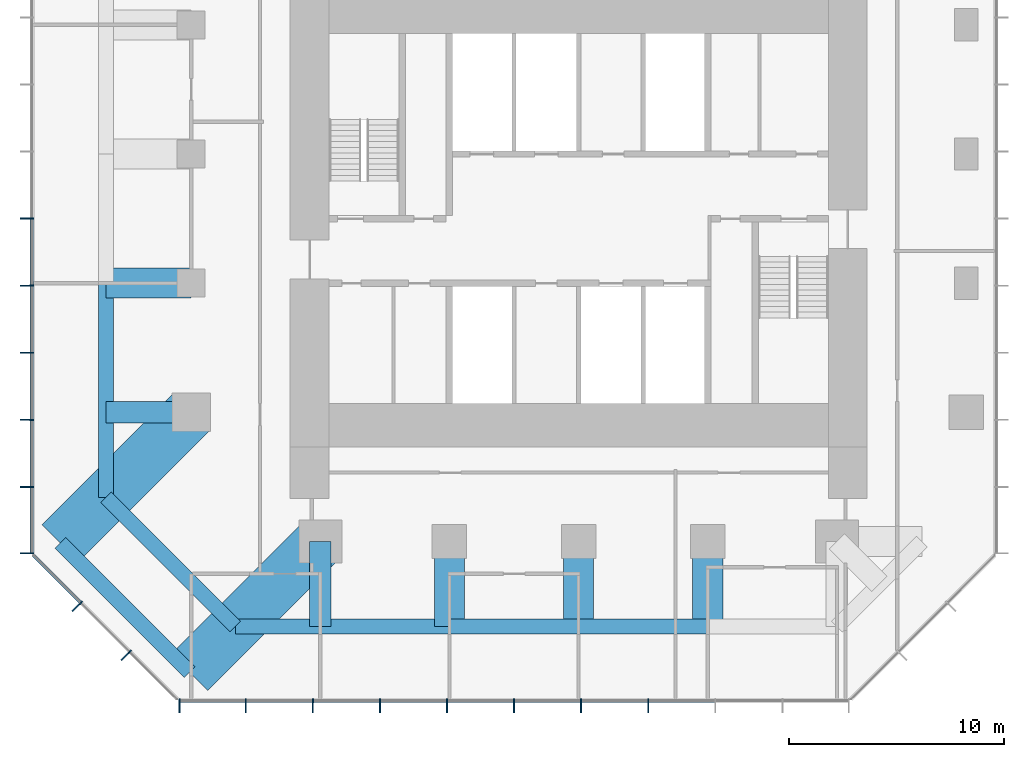
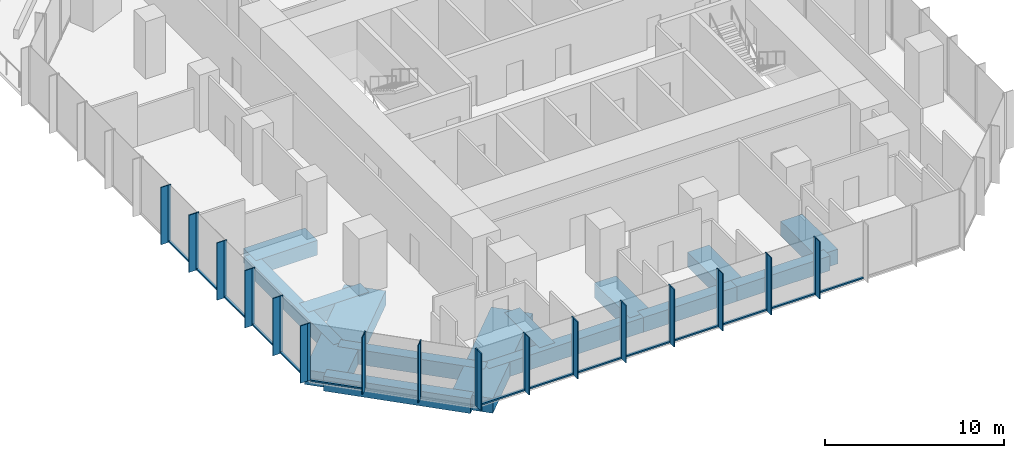
# One storey, part 2 of 11: 46 members, 14 beams, 3 elements without a shape of their own.
"""IFC4 building model written with IfcOpenShell, lengths in metres."""

from ifc_helpers import new_model, si_unit, direction, frame, origin, origin_2d, place, context, subcontext, project, spatial, rectangle, extrude, material, layer, layer_set, material_profile, profile_set, type_object, element, aggregate, save


model = new_model("IFC4")

# Units and contexts
model_context = context("Model", 3, precision=1e-05, world=origin(), true_north=direction((0.0, 1.0)))
body_context = subcontext(model_context, "Body", "Model", "MODEL_VIEW")
ifc_project = project(units=[si_unit("LENGTHUNIT", "METRE"), si_unit("AREAUNIT", "SQUARE_METRE"), si_unit("VOLUMEUNIT", "CUBIC_METRE"), si_unit("PLANEANGLEUNIT", "RADIAN"), si_unit("MASSUNIT", "GRAM", prefix="KILO")], contexts=[model_context])

# Site, building, storey
site_placement = place(None, origin())
site = spatial("IfcSite", under=ifc_project, at=site_placement, CompositionType="ELEMENT")
building_placement = place(site_placement, origin())
building = spatial("IfcBuilding", under=site, at=building_placement, Name="Highveld Stack Headquarters", CompositionType="ELEMENT")
storey_placement = place(building_placement, frame((0.0, 0.0, 212.300048828125)))
storey = spatial("IfcBuildingStorey", under=building, at=storey_placement, Name="L52", CompositionType="ELEMENT", Elevation=212.300048828125)

# Beams
ifc_material_1 = material(Name="Concrete C60/75", Category="concrete")
ifc_material_profile_1 = material_profile(ifc_material_1, rectangle(XDim=1.0, YDim=1.0, at=origin_2d()), Name="RC 1000x1000")
ifc_profile_set_1 = profile_set([ifc_material_profile_1], Name="Concrete C60/75")
beam_type_1 = type_object("IfcBeamType", Name="CANTILEVER RIB RC 1000x1000", PredefinedType="USERDEFINED", material=ifc_profile_set_1)
for number, where, z_axis, x_axis, name in (
    (1, (-12.0, -6.0, -0.75), (-1.0, 0.0, 0.0), (0.0, -1.0, 0.0), "Cantilever rib 4/D L52"),
    (2, (-6.0, -12.0, -0.75), (0.0, -1.0, 0.0), (1.0, 0.0, 0.0), "Cantilever rib 5/C L52"),
):
    element("IfcBeam", number, at=place(storey_placement, frame(where, z_axis=z_axis, x_axis=x_axis)), inside=storey, type_object=beam_type_1, Name=name, ObjectType="CANTILEVER RIB", PredefinedType="USERDEFINED", context=body_context, shape_type="SweptSolid", body=[
        extrude(rectangle(XDim=1.0, YDim=1.0, at=origin_2d()), origin(), (0.0, 0.0, 1.0), 3.949951171875),
    ])
ifc_material_2 = material(Name="Concrete C60/75", Category="concrete")
ifc_material_profile_2 = material_profile(ifc_material_2, rectangle(XDim=1.39990234375, YDim=1.0, at=origin_2d()), Name="RC 1400x1000")
ifc_profile_set_2 = profile_set([ifc_material_profile_2], Name="Concrete C60/75")
beam_type_2 = type_object("IfcBeamType", Name="CANTILEVER RIB RC 1400x1000", PredefinedType="USERDEFINED", material=ifc_profile_set_2)
for number, where, z_axis, x_axis, name in (
    (3, (-12.0, 0.0, -0.75), (-1.0, 0.0, 0.0), (0.0, -1.0, 0.0), "Cantilever rib 4/E L52"),
    (4, (0.0, -12.0, -0.75), (0.0, -1.0, 0.0), (1.0, 0.0, 0.0), "Cantilever rib 6/C L52"),
    (5, (6.0, -12.0, -0.75), (0.0, -1.0, 0.0), (1.0, 0.0, 0.0), "Cantilever rib 7/C L52"),
    (6, (12.0, -12.0, -0.75), (0.0, -1.0, 0.0), (1.0, 0.0, 0.0), "Cantilever rib 8/C L52"),
):
    element("IfcBeam", number, at=place(storey_placement, frame(where, z_axis=z_axis, x_axis=x_axis)), inside=storey, type_object=beam_type_2, Name=name, ObjectType="CANTILEVER RIB", PredefinedType="USERDEFINED", context=body_context, shape_type="SweptSolid", body=[
        extrude(rectangle(XDim=1.39990234375, YDim=1.0, at=origin_2d()), origin(), (0.0, 0.0, 1.0), 3.949951171875),
    ])
ifc_material_3 = material(Name="Concrete C60/75", Category="concrete")
ifc_material_profile_3 = material_profile(ifc_material_3, rectangle(XDim=2.39990234375, YDim=1.0, at=origin_2d()), Name="RC 2400x1000")
ifc_profile_set_3 = profile_set([ifc_material_profile_3], Name="Concrete C60/75")
beam_type_3 = type_object("IfcBeamType", Name="CANTILEVER RIB RC 2400x1000", PredefinedType="USERDEFINED", material=ifc_profile_set_3)
for number, where, z_axis, x_axis, name in (
    (7, (-12.0, -6.0, -0.75), (-0.707106781187, -0.707106781187, 0.0), (0.707106781187, -0.707106781187, 0.0), "Cantilever rib 4/D L52"),
    (8, (-6.0, -12.0, -0.75), (-0.707106781187, -0.707106781187, 0.0), (0.707106781187, -0.707106781187, 0.0), "Cantilever rib 5/C L52"),
):
    element("IfcBeam", number, at=place(storey_placement, frame(where, z_axis=z_axis, x_axis=x_axis)), inside=storey, type_object=beam_type_3, Name=name, ObjectType="CANTILEVER RIB", PredefinedType="USERDEFINED", context=body_context, shape_type="SweptSolid", body=[
        extrude(rectangle(XDim=2.39990234375, YDim=1.0, at=origin_2d()), origin(), (0.0, 0.0, 1.0), 8.585693359375),
    ])

# Curtain wall, members
ifc_material_4 = material(Name="Aluminium bronze anodised", Category="aluminium")
ifc_layer_1 = layer(ifc_material_4, 0.199951171875)
ifc_layer_set_1 = layer_set([ifc_layer_1], Name="Aluminium bronze anodised")
curtain_wall_type_1 = type_object("IfcCurtainWallType", Name="CW1 TOWER UNITISED CURTAIN WALL", PredefinedType="NOTDEFINED", material=ifc_layer_set_1)
curtain_wall_1_placement = place(storey_placement, origin())
curtain_wall_1 = element("IfcCurtainWall", 9, at=curtain_wall_1_placement, inside=storey, type_object=curtain_wall_type_1, Name="Curtain wall CW1 L52 S", PredefinedType="NOTDEFINED")
ifc_material_5 = material(Name="Aluminium bronze anodised", Category="aluminium")
ifc_material_profile_4 = material_profile(ifc_material_5, rectangle(XDim=0.449951171875, YDim=0.06005859375, at=origin_2d()), Name="FIN 450x60")
ifc_profile_set_4 = profile_set([ifc_material_profile_4], Name="Aluminium bronze anodised")
member_type_1 = type_object("IfcMemberType", Name="CW1 BRONZE FIN 450x60", PredefinedType="USERDEFINED", material=ifc_profile_set_4)
member_1_placement = place(storey_placement, frame((-12.54736328125, -19.72509765625, 0.0), z_axis=(0.0, 0.0, 1.0), x_axis=(0.0, 1.0, 0.0)))
member_1 = element("IfcMember", 10, at=member_1_placement, type_object=member_type_1, Name="CW1 fin L52 1", ObjectType="FIN", PredefinedType="USERDEFINED", context=body_context, shape_type="SweptSolid", body=[
    extrude(rectangle(XDim=0.449951171875, YDim=0.06005859375, at=origin_2d()), origin(), (0.0, 0.0, 1.0), 3.89990234375),
])
member_2_placement = place(storey_placement, frame((-9.4638671875, -19.72509765625, 0.0), z_axis=(0.0, 0.0, 1.0), x_axis=(0.0, 1.0, 0.0)))
member_2 = element("IfcMember", 11, at=member_2_placement, type_object=member_type_1, Name="CW1 fin L52 2", ObjectType="FIN", PredefinedType="USERDEFINED", context=body_context, shape_type="SweptSolid", body=[
    extrude(rectangle(XDim=0.449951171875, YDim=0.06005859375, at=origin_2d()), origin(), (0.0, 0.0, 1.0), 3.89990234375),
])
member_3_placement = place(storey_placement, frame((-6.347900390625, -19.72509765625, 0.0), z_axis=(0.0, 0.0, 1.0), x_axis=(0.0, 1.0, 0.0)))
member_3 = element("IfcMember", 12, at=member_3_placement, type_object=member_type_1, Name="CW1 fin L52 3", ObjectType="FIN", PredefinedType="USERDEFINED", context=body_context, shape_type="SweptSolid", body=[
    extrude(rectangle(XDim=0.449951171875, YDim=0.06005859375, at=origin_2d()), origin(), (0.0, 0.0, 1.0), 3.89990234375),
])
member_4_placement = place(storey_placement, frame((-3.23193359375, -19.72509765625, 0.0), z_axis=(0.0, 0.0, 1.0), x_axis=(0.0, 1.0, 0.0)))
member_4 = element("IfcMember", 13, at=member_4_placement, type_object=member_type_1, Name="CW1 fin L52 4", ObjectType="FIN", PredefinedType="USERDEFINED", context=body_context, shape_type="SweptSolid", body=[
    extrude(rectangle(XDim=0.449951171875, YDim=0.06005859375, at=origin_2d()), origin(), (0.0, 0.0, 1.0), 3.89990234375),
])
member_5_placement = place(storey_placement, frame((-0.115966796875, -19.72509765625, 0.0), z_axis=(0.0, 0.0, 1.0), x_axis=(0.0, 1.0, 0.0)))
member_5 = element("IfcMember", 14, at=member_5_placement, type_object=member_type_1, Name="CW1 fin L52 5", ObjectType="FIN", PredefinedType="USERDEFINED", context=body_context, shape_type="SweptSolid", body=[
    extrude(rectangle(XDim=0.449951171875, YDim=0.06005859375, at=origin_2d()), origin(), (0.0, 0.0, 1.0), 3.89990234375),
])
member_6_placement = place(storey_placement, frame((3.0, -19.72509765625, 0.0), z_axis=(0.0, 0.0, 1.0), x_axis=(0.0, 1.0, 0.0)))
member_6 = element("IfcMember", 15, at=member_6_placement, type_object=member_type_1, Name="CW1 fin L52 6", ObjectType="FIN", PredefinedType="USERDEFINED", context=body_context, shape_type="SweptSolid", body=[
    extrude(rectangle(XDim=0.449951171875, YDim=0.06005859375, at=origin_2d()), origin(), (0.0, 0.0, 1.0), 3.89990234375),
])
member_7_placement = place(storey_placement, frame((6.115966796875, -19.72509765625, 0.0), z_axis=(0.0, 0.0, 1.0), x_axis=(0.0, 1.0, 0.0)))
member_7 = element("IfcMember", 16, at=member_7_placement, type_object=member_type_1, Name="CW1 fin L52 7", ObjectType="FIN", PredefinedType="USERDEFINED", context=body_context, shape_type="SweptSolid", body=[
    extrude(rectangle(XDim=0.449951171875, YDim=0.06005859375, at=origin_2d()), origin(), (0.0, 0.0, 1.0), 3.89990234375),
])
member_8_placement = place(storey_placement, frame((9.23193359375, -19.72509765625, 0.0), z_axis=(0.0, 0.0, 1.0), x_axis=(0.0, 1.0, 0.0)))
member_8 = element("IfcMember", 17, at=member_8_placement, type_object=member_type_1, Name="CW1 fin L52 8", ObjectType="FIN", PredefinedType="USERDEFINED", context=body_context, shape_type="SweptSolid", body=[
    extrude(rectangle(XDim=0.449951171875, YDim=0.06005859375, at=origin_2d()), origin(), (0.0, 0.0, 1.0), 3.89990234375),
])

curtain_wall_2_placement = place(storey_placement, origin())
curtain_wall_2 = element("IfcCurtainWall", 18, at=curtain_wall_2_placement, inside=storey, type_object=curtain_wall_type_1, Name="Curtain wall CW1 L52 W", PredefinedType="NOTDEFINED")
member_9_placement = place(storey_placement, frame((-19.72509765625, 3.0, 0.0), z_axis=(0.0, 0.0, 1.0), x_axis=(1.0, 0.0, 0.0)))
member_9 = element("IfcMember", 19, at=member_9_placement, type_object=member_type_1, Name="CW1 fin L52 6", ObjectType="FIN", PredefinedType="USERDEFINED", context=body_context, shape_type="SweptSolid", body=[
    extrude(rectangle(XDim=0.449951171875, YDim=0.06005859375, at=origin_2d()), origin(), (0.0, 0.0, 1.0), 3.89990234375),
])
member_10_placement = place(storey_placement, frame((-19.72509765625, -0.115966796875, 0.0), z_axis=(0.0, 0.0, 1.0), x_axis=(1.0, 0.0, 0.0)))
member_10 = element("IfcMember", 20, at=member_10_placement, type_object=member_type_1, Name="CW1 fin L52 7", ObjectType="FIN", PredefinedType="USERDEFINED", context=body_context, shape_type="SweptSolid", body=[
    extrude(rectangle(XDim=0.449951171875, YDim=0.06005859375, at=origin_2d()), origin(), (0.0, 0.0, 1.0), 3.89990234375),
])
member_11_placement = place(storey_placement, frame((-19.72509765625, -3.23193359375, 0.0), z_axis=(0.0, 0.0, 1.0), x_axis=(1.0, 0.0, 0.0)))
member_11 = element("IfcMember", 21, at=member_11_placement, type_object=member_type_1, Name="CW1 fin L52 8", ObjectType="FIN", PredefinedType="USERDEFINED", context=body_context, shape_type="SweptSolid", body=[
    extrude(rectangle(XDim=0.449951171875, YDim=0.06005859375, at=origin_2d()), origin(), (0.0, 0.0, 1.0), 3.89990234375),
])
member_12_placement = place(storey_placement, frame((-19.72509765625, -6.347900390625, 0.0), z_axis=(0.0, 0.0, 1.0), x_axis=(1.0, 0.0, 0.0)))
member_12 = element("IfcMember", 22, at=member_12_placement, type_object=member_type_1, Name="CW1 fin L52 9", ObjectType="FIN", PredefinedType="USERDEFINED", context=body_context, shape_type="SweptSolid", body=[
    extrude(rectangle(XDim=0.449951171875, YDim=0.06005859375, at=origin_2d()), origin(), (0.0, 0.0, 1.0), 3.89990234375),
])
member_13_placement = place(storey_placement, frame((-19.72509765625, -9.4638671875, 0.0), z_axis=(0.0, 0.0, 1.0), x_axis=(1.0, 0.0, 0.0)))
member_13 = element("IfcMember", 23, at=member_13_placement, type_object=member_type_1, Name="CW1 fin L52 10", ObjectType="FIN", PredefinedType="USERDEFINED", context=body_context, shape_type="SweptSolid", body=[
    extrude(rectangle(XDim=0.449951171875, YDim=0.06005859375, at=origin_2d()), origin(), (0.0, 0.0, 1.0), 3.89990234375),
])
member_14_placement = place(storey_placement, frame((-19.72509765625, -12.54736328125, 0.0), z_axis=(0.0, 0.0, 1.0), x_axis=(1.0, 0.0, 0.0)))
member_14 = element("IfcMember", 24, at=member_14_placement, type_object=member_type_1, Name="CW1 fin L52 11", ObjectType="FIN", PredefinedType="USERDEFINED", context=body_context, shape_type="SweptSolid", body=[
    extrude(rectangle(XDim=0.449951171875, YDim=0.06005859375, at=origin_2d()), origin(), (0.0, 0.0, 1.0), 3.89990234375),
])

# Member
ifc_material_6 = material(Name="Aluminium bronze anodised", Category="aluminium")
ifc_material_profile_5 = material_profile(ifc_material_6, rectangle(XDim=0.199951171875, YDim=0.06494140625, at=origin_2d()), Name="CW1 MULLION 65x200")
ifc_profile_set_5 = profile_set([ifc_material_profile_5], Name="Aluminium bronze anodised")
member_type_2 = type_object("IfcMemberType", Name="CW1 MULLION 65x200", PredefinedType="MULLION", material=ifc_profile_set_5)
member_15_placement = place(storey_placement, frame((-12.54736328125, -19.39990234375, 0.0), z_axis=(0.0, 0.0, 1.0), x_axis=(0.0, 1.0, 0.0)))
member_15 = element("IfcMember", 25, at=member_15_placement, type_object=member_type_2, Name="CW1 mullion L52 1", PredefinedType="MULLION", context=body_context, shape_type="SweptSolid", body=[
    extrude(rectangle(XDim=0.199951171875, YDim=0.06494140625, at=origin_2d()), origin(), (0.0, 0.0, 1.0), 3.89990234375),
])

member_16_placement = place(storey_placement, frame((-9.4638671875, -19.39990234375, 0.0), z_axis=(0.0, 0.0, 1.0), x_axis=(0.0, 1.0, 0.0)))
member_16 = element("IfcMember", 26, at=member_16_placement, type_object=member_type_2, Name="CW1 mullion L52 2", PredefinedType="MULLION", context=body_context, shape_type="SweptSolid", body=[
    extrude(rectangle(XDim=0.199951171875, YDim=0.06494140625, at=origin_2d()), origin(), (0.0, 0.0, 1.0), 3.89990234375),
])

member_17_placement = place(storey_placement, frame((-6.347900390625, -19.39990234375, 0.0), z_axis=(0.0, 0.0, 1.0), x_axis=(0.0, 1.0, 0.0)))
member_17 = element("IfcMember", 27, at=member_17_placement, type_object=member_type_2, Name="CW1 mullion L52 3", PredefinedType="MULLION", context=body_context, shape_type="SweptSolid", body=[
    extrude(rectangle(XDim=0.199951171875, YDim=0.06494140625, at=origin_2d()), origin(), (0.0, 0.0, 1.0), 3.89990234375),
])

member_18_placement = place(storey_placement, frame((-3.23193359375, -19.39990234375, 0.0), z_axis=(0.0, 0.0, 1.0), x_axis=(0.0, 1.0, 0.0)))
member_18 = element("IfcMember", 28, at=member_18_placement, type_object=member_type_2, Name="CW1 mullion L52 4", PredefinedType="MULLION", context=body_context, shape_type="SweptSolid", body=[
    extrude(rectangle(XDim=0.199951171875, YDim=0.06494140625, at=origin_2d()), origin(), (0.0, 0.0, 1.0), 3.89990234375),
])

member_19_placement = place(storey_placement, frame((-0.115966796875, -19.39990234375, 0.0), z_axis=(0.0, 0.0, 1.0), x_axis=(0.0, 1.0, 0.0)))
member_19 = element("IfcMember", 29, at=member_19_placement, type_object=member_type_2, Name="CW1 mullion L52 5", PredefinedType="MULLION", context=body_context, shape_type="SweptSolid", body=[
    extrude(rectangle(XDim=0.199951171875, YDim=0.06494140625, at=origin_2d()), origin(), (0.0, 0.0, 1.0), 3.89990234375),
])

member_20_placement = place(storey_placement, frame((3.0, -19.39990234375, 0.0), z_axis=(0.0, 0.0, 1.0), x_axis=(0.0, 1.0, 0.0)))
member_20 = element("IfcMember", 30, at=member_20_placement, type_object=member_type_2, Name="CW1 mullion L52 6", PredefinedType="MULLION", context=body_context, shape_type="SweptSolid", body=[
    extrude(rectangle(XDim=0.199951171875, YDim=0.06494140625, at=origin_2d()), origin(), (0.0, 0.0, 1.0), 3.89990234375),
])

member_21_placement = place(storey_placement, frame((6.115966796875, -19.39990234375, 0.0), z_axis=(0.0, 0.0, 1.0), x_axis=(0.0, 1.0, 0.0)))
member_21 = element("IfcMember", 31, at=member_21_placement, type_object=member_type_2, Name="CW1 mullion L52 7", PredefinedType="MULLION", context=body_context, shape_type="SweptSolid", body=[
    extrude(rectangle(XDim=0.199951171875, YDim=0.06494140625, at=origin_2d()), origin(), (0.0, 0.0, 1.0), 3.89990234375),
])

member_22_placement = place(storey_placement, frame((9.23193359375, -19.39990234375, 0.0), z_axis=(0.0, 0.0, 1.0), x_axis=(0.0, 1.0, 0.0)))
member_22 = element("IfcMember", 32, at=member_22_placement, type_object=member_type_2, Name="CW1 mullion L52 8", PredefinedType="MULLION", context=body_context, shape_type="SweptSolid", body=[
    extrude(rectangle(XDim=0.199951171875, YDim=0.06494140625, at=origin_2d()), origin(), (0.0, 0.0, 1.0), 3.89990234375),
])

member_23_placement = place(storey_placement, frame((-19.39990234375, 3.0, 0.0), z_axis=(0.0, 0.0, 1.0), x_axis=(1.0, 0.0, 0.0)))
member_23 = element("IfcMember", 33, at=member_23_placement, type_object=member_type_2, Name="CW1 mullion L52 6", PredefinedType="MULLION", context=body_context, shape_type="SweptSolid", body=[
    extrude(rectangle(XDim=0.199951171875, YDim=0.06494140625, at=origin_2d()), origin(), (0.0, 0.0, 1.0), 3.89990234375),
])

member_24_placement = place(storey_placement, frame((-19.39990234375, -0.115966796875, 0.0), z_axis=(0.0, 0.0, 1.0), x_axis=(1.0, 0.0, 0.0)))
member_24 = element("IfcMember", 34, at=member_24_placement, type_object=member_type_2, Name="CW1 mullion L52 7", PredefinedType="MULLION", context=body_context, shape_type="SweptSolid", body=[
    extrude(rectangle(XDim=0.199951171875, YDim=0.06494140625, at=origin_2d()), origin(), (0.0, 0.0, 1.0), 3.89990234375),
])

member_25_placement = place(storey_placement, frame((-19.39990234375, -3.23193359375, 0.0), z_axis=(0.0, 0.0, 1.0), x_axis=(1.0, 0.0, 0.0)))
member_25 = element("IfcMember", 35, at=member_25_placement, type_object=member_type_2, Name="CW1 mullion L52 8", PredefinedType="MULLION", context=body_context, shape_type="SweptSolid", body=[
    extrude(rectangle(XDim=0.199951171875, YDim=0.06494140625, at=origin_2d()), origin(), (0.0, 0.0, 1.0), 3.89990234375),
])

member_26_placement = place(storey_placement, frame((-19.39990234375, -6.347900390625, 0.0), z_axis=(0.0, 0.0, 1.0), x_axis=(1.0, 0.0, 0.0)))
member_26 = element("IfcMember", 36, at=member_26_placement, type_object=member_type_2, Name="CW1 mullion L52 9", PredefinedType="MULLION", context=body_context, shape_type="SweptSolid", body=[
    extrude(rectangle(XDim=0.199951171875, YDim=0.06494140625, at=origin_2d()), origin(), (0.0, 0.0, 1.0), 3.89990234375),
])

member_27_placement = place(storey_placement, frame((-19.39990234375, -9.4638671875, 0.0), z_axis=(0.0, 0.0, 1.0), x_axis=(1.0, 0.0, 0.0)))
member_27 = element("IfcMember", 37, at=member_27_placement, type_object=member_type_2, Name="CW1 mullion L52 10", PredefinedType="MULLION", context=body_context, shape_type="SweptSolid", body=[
    extrude(rectangle(XDim=0.199951171875, YDim=0.06494140625, at=origin_2d()), origin(), (0.0, 0.0, 1.0), 3.89990234375),
])

member_28_placement = place(storey_placement, frame((-19.39990234375, -12.54736328125, 0.0), z_axis=(0.0, 0.0, 1.0), x_axis=(1.0, 0.0, 0.0)))
member_28 = element("IfcMember", 38, at=member_28_placement, type_object=member_type_2, Name="CW1 mullion L52 11", PredefinedType="MULLION", context=body_context, shape_type="SweptSolid", body=[
    extrude(rectangle(XDim=0.199951171875, YDim=0.06494140625, at=origin_2d()), origin(), (0.0, 0.0, 1.0), 3.89990234375),
])

ifc_material_7 = material(Name="Aluminium bronze anodised", Category="aluminium")
ifc_material_profile_6 = material_profile(ifc_material_7, rectangle(XDim=0.14990234375, YDim=0.10009765625, at=origin_2d()), Name="CW1 TRANSOM 150x100")
ifc_profile_set_6 = profile_set([ifc_material_profile_6], Name="Aluminium bronze anodised")
member_type_3 = type_object("IfcMemberType", Name="CW1 STACK TRANSOM 150x100", PredefinedType="USERDEFINED", material=ifc_profile_set_6)
member_29_placement = place(storey_placement, frame((-12.514892578125, -19.39990234375, 0.050048828125), z_axis=(1.0, 0.0, 0.0), x_axis=(0.0, 1.0, 0.0)))
member_29 = element("IfcMember", 39, at=member_29_placement, type_object=member_type_3, Name="CW1 transom L52 1.1", ObjectType="TRANSOM", PredefinedType="USERDEFINED", context=body_context, shape_type="SweptSolid", body=[
    extrude(rectangle(XDim=0.14990234375, YDim=0.10009765625, at=origin_2d()), origin(), (0.0, 0.0, 1.0), 3.0185546875),
])

member_30_placement = place(storey_placement, frame((-9.431396484375, -19.39990234375, 0.050048828125), z_axis=(1.0, 0.0, 0.0), x_axis=(0.0, 1.0, 0.0)))
member_30 = element("IfcMember", 40, at=member_30_placement, type_object=member_type_3, Name="CW1 transom L52 2.1", ObjectType="TRANSOM", PredefinedType="USERDEFINED", context=body_context, shape_type="SweptSolid", body=[
    extrude(rectangle(XDim=0.14990234375, YDim=0.10009765625, at=origin_2d()), origin(), (0.0, 0.0, 1.0), 3.051025390625),
])

member_31_placement = place(storey_placement, frame((-6.3154296875, -19.39990234375, 0.050048828125), z_axis=(1.0, 0.0, 0.0), x_axis=(0.0, 1.0, 0.0)))
member_31 = element("IfcMember", 41, at=member_31_placement, type_object=member_type_3, Name="CW1 transom L52 3.1", ObjectType="TRANSOM", PredefinedType="USERDEFINED", context=body_context, shape_type="SweptSolid", body=[
    extrude(rectangle(XDim=0.14990234375, YDim=0.10009765625, at=origin_2d()), origin(), (0.0, 0.0, 1.0), 3.051025390625),
])

member_32_placement = place(storey_placement, frame((-3.199462890625, -19.39990234375, 0.050048828125), z_axis=(1.0, 0.0, 0.0), x_axis=(0.0, 1.0, 0.0)))
member_32 = element("IfcMember", 42, at=member_32_placement, type_object=member_type_3, Name="CW1 transom L52 4.1", ObjectType="TRANSOM", PredefinedType="USERDEFINED", context=body_context, shape_type="SweptSolid", body=[
    extrude(rectangle(XDim=0.14990234375, YDim=0.10009765625, at=origin_2d()), origin(), (0.0, 0.0, 1.0), 3.051025390625),
])

member_33_placement = place(storey_placement, frame((-0.08349609375, -19.39990234375, 0.050048828125), z_axis=(1.0, 0.0, 0.0), x_axis=(0.0, 1.0, 0.0)))
member_33 = element("IfcMember", 43, at=member_33_placement, type_object=member_type_3, Name="CW1 transom L52 5.1", ObjectType="TRANSOM", PredefinedType="USERDEFINED", context=body_context, shape_type="SweptSolid", body=[
    extrude(rectangle(XDim=0.14990234375, YDim=0.10009765625, at=origin_2d()), origin(), (0.0, 0.0, 1.0), 3.051025390625),
])

member_34_placement = place(storey_placement, frame((3.032470703125, -19.39990234375, 0.050048828125), z_axis=(1.0, 0.0, 0.0), x_axis=(0.0, 1.0, 0.0)))
member_34 = element("IfcMember", 44, at=member_34_placement, type_object=member_type_3, Name="CW1 transom L52 6.1", ObjectType="TRANSOM", PredefinedType="USERDEFINED", context=body_context, shape_type="SweptSolid", body=[
    extrude(rectangle(XDim=0.14990234375, YDim=0.10009765625, at=origin_2d()), origin(), (0.0, 0.0, 1.0), 3.051025390625),
])

member_35_placement = place(storey_placement, frame((6.1484375, -19.39990234375, 0.050048828125), z_axis=(1.0, 0.0, 0.0), x_axis=(0.0, 1.0, 0.0)))
member_35 = element("IfcMember", 45, at=member_35_placement, type_object=member_type_3, Name="CW1 transom L52 7.1", ObjectType="TRANSOM", PredefinedType="USERDEFINED", context=body_context, shape_type="SweptSolid", body=[
    extrude(rectangle(XDim=0.14990234375, YDim=0.10009765625, at=origin_2d()), origin(), (0.0, 0.0, 1.0), 3.051025390625),
])

member_36_placement = place(storey_placement, frame((9.264404296875, -19.39990234375, 0.050048828125), z_axis=(1.0, 0.0, 0.0), x_axis=(0.0, 1.0, 0.0)))
member_36 = element("IfcMember", 46, at=member_36_placement, type_object=member_type_3, Name="CW1 transom L52 8.1", ObjectType="TRANSOM", PredefinedType="USERDEFINED", context=body_context, shape_type="SweptSolid", body=[
    extrude(rectangle(XDim=0.14990234375, YDim=0.10009765625, at=origin_2d()), origin(), (0.0, 0.0, 1.0), 3.051025390625),
])

aggregate(curtain_wall_1, [member_15, member_1, member_16, member_2, member_17, member_3, member_18, member_4, member_19, member_5, member_20, member_6, member_21, member_7, member_22, member_8, member_29, member_30, member_31, member_32, member_33, member_34, member_35, member_36])

member_37_placement = place(storey_placement, frame((-19.39990234375, 2.967529296875, 0.050048828125), z_axis=(0.0, -1.0, 0.0), x_axis=(1.0, 0.0, 0.0)))
member_37 = element("IfcMember", 47, at=member_37_placement, type_object=member_type_3, Name="CW1 transom L52 6.1", ObjectType="TRANSOM", PredefinedType="USERDEFINED", context=body_context, shape_type="SweptSolid", body=[
    extrude(rectangle(XDim=0.14990234375, YDim=0.10009765625, at=origin_2d()), origin(), (0.0, 0.0, 1.0), 3.051025390625),
])

member_38_placement = place(storey_placement, frame((-19.39990234375, -0.1484375, 0.050048828125), z_axis=(0.0, -1.0, 0.0), x_axis=(1.0, 0.0, 0.0)))
member_38 = element("IfcMember", 48, at=member_38_placement, type_object=member_type_3, Name="CW1 transom L52 7.1", ObjectType="TRANSOM", PredefinedType="USERDEFINED", context=body_context, shape_type="SweptSolid", body=[
    extrude(rectangle(XDim=0.14990234375, YDim=0.10009765625, at=origin_2d()), origin(), (0.0, 0.0, 1.0), 3.051025390625),
])

member_39_placement = place(storey_placement, frame((-19.39990234375, -3.264404296875, 0.050048828125), z_axis=(0.0, -1.0, 0.0), x_axis=(1.0, 0.0, 0.0)))
member_39 = element("IfcMember", 49, at=member_39_placement, type_object=member_type_3, Name="CW1 transom L52 8.1", ObjectType="TRANSOM", PredefinedType="USERDEFINED", context=body_context, shape_type="SweptSolid", body=[
    extrude(rectangle(XDim=0.14990234375, YDim=0.10009765625, at=origin_2d()), origin(), (0.0, 0.0, 1.0), 3.051025390625),
])

member_40_placement = place(storey_placement, frame((-19.39990234375, -6.38037109375, 0.050048828125), z_axis=(0.0, -1.0, 0.0), x_axis=(1.0, 0.0, 0.0)))
member_40 = element("IfcMember", 50, at=member_40_placement, type_object=member_type_3, Name="CW1 transom L52 9.1", ObjectType="TRANSOM", PredefinedType="USERDEFINED", context=body_context, shape_type="SweptSolid", body=[
    extrude(rectangle(XDim=0.14990234375, YDim=0.10009765625, at=origin_2d()), origin(), (0.0, 0.0, 1.0), 3.051025390625),
])

member_41_placement = place(storey_placement, frame((-19.39990234375, -9.496337890625, 0.050048828125), z_axis=(0.0, -1.0, 0.0), x_axis=(1.0, 0.0, 0.0)))
member_41 = element("IfcMember", 51, at=member_41_placement, type_object=member_type_3, Name="CW1 transom L52 10.1", ObjectType="TRANSOM", PredefinedType="USERDEFINED", context=body_context, shape_type="SweptSolid", body=[
    extrude(rectangle(XDim=0.14990234375, YDim=0.10009765625, at=origin_2d()), origin(), (0.0, 0.0, 1.0), 3.0185546875),
])

aggregate(curtain_wall_2, [member_23, member_9, member_24, member_10, member_25, member_11, member_26, member_12, member_27, member_13, member_28, member_14, member_37, member_38, member_39, member_40, member_41])

# Curtain wall, members
ifc_material_8 = material(Name="Aluminium bronze anodised", Category="aluminium")
ifc_layer_2 = layer(ifc_material_8, 0.199951171875)
ifc_layer_set_2 = layer_set([ifc_layer_2], Name="Aluminium bronze anodised")
curtain_wall_type_2 = type_object("IfcCurtainWallType", Name="CW2 TOWER CHAMFER UNITISED CURTAIN WALL", PredefinedType="NOTDEFINED", material=ifc_layer_set_2)
curtain_wall_3_placement = place(storey_placement, origin())
curtain_wall_3 = element("IfcCurtainWall", 52, at=curtain_wall_3_placement, inside=storey, type_object=curtain_wall_type_2, Name="Curtain wall CW2 L52 SW", PredefinedType="NOTDEFINED")
ifc_material_9 = material(Name="Aluminium bronze anodised", Category="aluminium")
ifc_material_profile_7 = material_profile(ifc_material_9, rectangle(XDim=0.449951171875, YDim=0.06005859375, at=origin_2d()), Name="FIN 450x60")
ifc_profile_set_7 = profile_set([ifc_material_profile_7], Name="Aluminium bronze anodised")
member_type_4 = type_object("IfcMemberType", Name="CW2 BRONZE FIN 450x60", PredefinedType="USERDEFINED", material=ifc_profile_set_7)
member_42_placement = place(storey_placement, frame((-17.3564453125, -15.0830078125, 0.0), z_axis=(0.0, 0.0, 1.0), x_axis=(0.707106781187, 0.707106781187, 0.0)))
member_42 = element("IfcMember", 53, at=member_42_placement, type_object=member_type_4, Name="CW2 fin L52 1", ObjectType="FIN", PredefinedType="USERDEFINED", context=body_context, shape_type="SweptSolid", body=[
    extrude(rectangle(XDim=0.449951171875, YDim=0.06005859375, at=origin_2d()), origin(), (0.0, 0.0, 1.0), 3.89990234375),
])
member_43_placement = place(storey_placement, frame((-15.0830078125, -17.3564453125, 0.0), z_axis=(0.0, 0.0, 1.0), x_axis=(0.707106781187, 0.707106781187, 0.0)))
member_43 = element("IfcMember", 54, at=member_43_placement, type_object=member_type_4, Name="CW2 fin L52 2", ObjectType="FIN", PredefinedType="USERDEFINED", context=body_context, shape_type="SweptSolid", body=[
    extrude(rectangle(XDim=0.449951171875, YDim=0.06005859375, at=origin_2d()), origin(), (0.0, 0.0, 1.0), 3.89990234375),
])
ifc_material_10 = material(Name="Aluminium bronze anodised", Category="aluminium")
ifc_material_profile_8 = material_profile(ifc_material_10, rectangle(XDim=0.199951171875, YDim=0.06494140625, at=origin_2d()), Name="CW2 MULLION 65x200")
ifc_profile_set_8 = profile_set([ifc_material_profile_8], Name="Aluminium bronze anodised")
member_type_5 = type_object("IfcMemberType", Name="CW2 MULLION 65x200", PredefinedType="MULLION", material=ifc_profile_set_8)
member_44_placement = place(storey_placement, frame((-17.126708984375, -14.853271484375, 0.0), z_axis=(0.0, 0.0, 1.0), x_axis=(0.707106781187, 0.707106781187, 0.0)))
member_44 = element("IfcMember", 55, at=member_44_placement, type_object=member_type_5, Name="CW2 mullion L52 1", PredefinedType="MULLION", context=body_context, shape_type="SweptSolid", body=[
    extrude(rectangle(XDim=0.199951171875, YDim=0.06494140625, at=origin_2d()), origin(), (0.0, 0.0, 1.0), 3.89990234375),
])
member_45_placement = place(storey_placement, frame((-14.853271484375, -17.126708984375, 0.0), z_axis=(0.0, 0.0, 1.0), x_axis=(0.707106781187, 0.707106781187, 0.0)))
member_45 = element("IfcMember", 56, at=member_45_placement, type_object=member_type_5, Name="CW2 mullion L52 2", PredefinedType="MULLION", context=body_context, shape_type="SweptSolid", body=[
    extrude(rectangle(XDim=0.199951171875, YDim=0.06494140625, at=origin_2d()), origin(), (0.0, 0.0, 1.0), 3.89990234375),
])
ifc_material_11 = material(Name="Aluminium bronze anodised", Category="aluminium")
ifc_material_profile_9 = material_profile(ifc_material_11, rectangle(XDim=0.14990234375, YDim=0.10009765625, at=origin_2d()), Name="CW2 TRANSOM 150x100")
ifc_profile_set_9 = profile_set([ifc_material_profile_9], Name="Aluminium bronze anodised")
member_type_6 = type_object("IfcMemberType", Name="CW2 STACK TRANSOM 150x100", PredefinedType="USERDEFINED", material=ifc_profile_set_9)
member_46_placement = place(storey_placement, frame((-19.329345703125, -12.650634765625, 0.050048828125), z_axis=(0.707106781187, -0.707106781187, 0.0), x_axis=(0.707106781187, 0.707106781187, 0.0)))
member_46 = element("IfcMember", 57, at=member_46_placement, type_object=member_type_6, Name="CW2 transom L52 1.1", ObjectType="TRANSOM", PredefinedType="USERDEFINED", context=body_context, shape_type="SweptSolid", body=[
    extrude(rectangle(XDim=0.14990234375, YDim=0.10009765625, at=origin_2d()), origin(), (0.0, 0.0, 1.0), 3.08251953125),
])
aggregate(curtain_wall_3, [member_44, member_42, member_45, member_43, member_46])

# Beams
ifc_material_12 = material(Name="Concrete C60/75", Category="concrete")
ifc_material_profile_10 = material_profile(ifc_material_12, rectangle(XDim=0.699951171875, YDim=1.0, at=origin_2d()), Name="RC 700x1000")
ifc_profile_set_10 = profile_set([ifc_material_profile_10], Name="Concrete C60/75")
beam_type_4 = type_object("IfcBeamType", Name="RIB TIP BEAM RC 700x1000", PredefinedType="SPANDREL", material=ifc_profile_set_10)
for number, where, z_axis, x_axis, name in (
    (58, (-15.949951171875, -9.949951171875, -0.75), (0.0, 1.0, 0.0), (-1.0, 0.0, 0.0), "Rib tip beam 4/D to 4/E L52"),
    (59, (-9.949951171875, -15.949951171875, -0.75), (1.0, 0.0, 0.0), (0.0, 1.0, 0.0), "Rib tip beam 5/C to 6/C L52"),
):
    element("IfcBeam", number, at=place(storey_placement, frame(where, z_axis=z_axis, x_axis=x_axis)), inside=storey, type_object=beam_type_4, Name=name, PredefinedType="SPANDREL", context=body_context, shape_type="SweptSolid", body=[
        extrude(rectangle(XDim=0.699951171875, YDim=1.0, at=origin_2d()), origin(), (0.0, 0.0, 1.0), 9.949951171875),
    ])
for number, where, z_axis, x_axis, name in (
    (60, (0.0, -15.949951171875, -0.75), (1.0, 0.0, 0.0), (0.0, 1.0, 0.0), "Rib tip beam 6/C to 7/C L52"),
    (61, (6.0, -15.949951171875, -0.75), (1.0, 0.0, 0.0), (0.0, 1.0, 0.0), "Rib tip beam 7/C to 8/C L52"),
):
    element("IfcBeam", number, at=place(storey_placement, frame(where, z_axis=z_axis, x_axis=x_axis)), inside=storey, type_object=beam_type_4, Name=name, PredefinedType="SPANDREL", context=body_context, shape_type="SweptSolid", body=[
        extrude(rectangle(XDim=0.699951171875, YDim=1.0, at=origin_2d()), origin(), (0.0, 0.0, 1.0), 6.0),
    ])
for number, where, z_axis, x_axis, name in (
    (62, (-15.949951171875, -9.949951171875, -0.75), (0.707106781187, -0.707106781187, 0.0), (0.707106781187, 0.707106781187, 0.0), "Rib tip beam 4/D to 5/C chamfer L52"),
    (63, (-18.071044921875, -12.071044921875, -0.75), (0.707106781187, -0.707106781187, 0.0), (0.707106781187, 0.707106781187, 0.0), "Rib tip beam 4/D to 5/C chamfer edge L52"),
):
    element("IfcBeam", number, at=place(storey_placement, frame(where, z_axis=z_axis, x_axis=x_axis)), inside=storey, type_object=beam_type_4, Name=name, PredefinedType="SPANDREL", context=body_context, shape_type="SweptSolid", body=[
        extrude(rectangle(XDim=0.699951171875, YDim=1.0, at=origin_2d()), origin(), (0.0, 0.0, 1.0), 8.4853515625),
    ])

save(model, "model.ifc")
